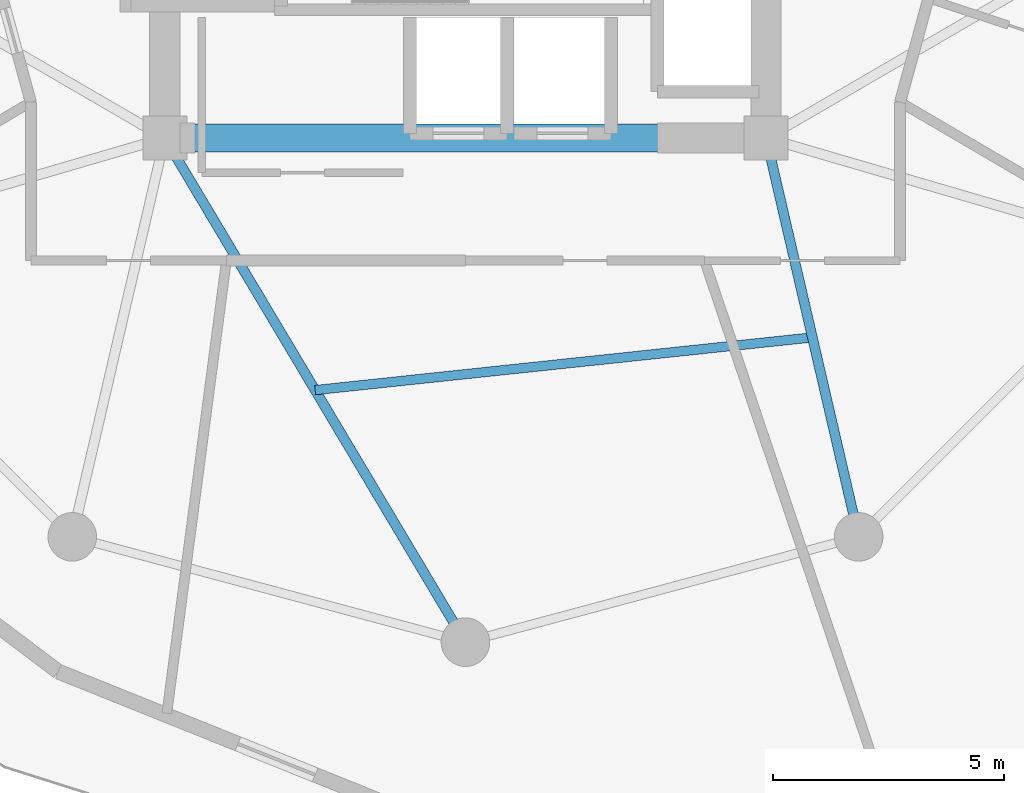
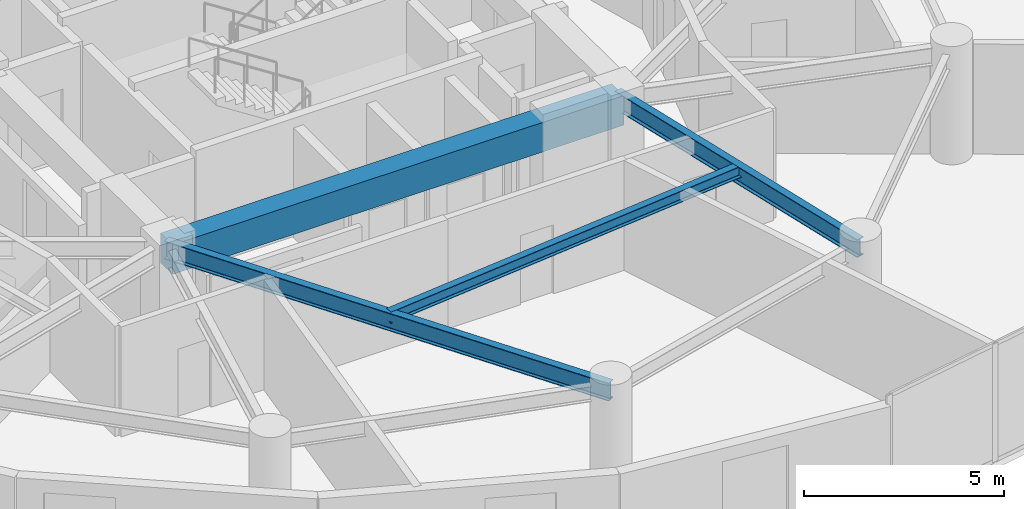
# One storey, part 5 of 25: 4 beams.
"""IFC4 building model written with IfcOpenShell, lengths in metres."""

from ifc_helpers import new_model, si_unit, direction, frame, origin, origin_2d, place, context, subcontext, project, spatial, rectangle, i_section, extrude, material, material_profile, profile_set, type_object, element, save


model = new_model("IFC4")

# Units and contexts
model_context = context("Model", 3, precision=1e-05, world=origin(), true_north=direction((0.0, 1.0)))
body_context = subcontext(model_context, "Body", "Model", "MODEL_VIEW")
ifc_project = project(units=[si_unit("LENGTHUNIT", "METRE"), si_unit("AREAUNIT", "SQUARE_METRE"), si_unit("VOLUMEUNIT", "CUBIC_METRE"), si_unit("PLANEANGLEUNIT", "RADIAN"), si_unit("MASSUNIT", "GRAM", prefix="KILO")], contexts=[model_context])

# Site, building, storey
site_placement = place(None, origin())
site = spatial("IfcSite", under=ifc_project, at=site_placement, CompositionType="ELEMENT")
building_placement = place(site_placement, origin())
building = spatial("IfcBuilding", under=site, at=building_placement, Name="Solvirekh Grand Hotel", CompositionType="ELEMENT")
storey_placement = place(building_placement, frame((0.0, 0.0, 102.60009765625)))
storey = spatial("IfcBuildingStorey", under=building, at=storey_placement, Name="L25", CompositionType="ELEMENT", Elevation=102.60009765625)

# Beams
ifc_material_1 = material(Name="Concrete C50/60", Category="concrete")
ifc_material_profile_1 = material_profile(ifc_material_1, rectangle(XDim=0.60009765625, YDim=0.89990234375, at=origin_2d()), Name="RC BEAM 600X900")
ifc_profile_set_1 = profile_set([ifc_material_profile_1], Name="Concrete C50/60")
beam_type_1 = type_object("IfcBeamType", Name="Beam_Core_RC900", PredefinedType="BEAM", material=ifc_profile_set_1)
beam_1_placement = place(storey_placement, frame((-6.5, -6.10009765625, 2.89990234375), z_axis=(1.0, 0.0, 0.0), x_axis=(0.0, 1.0, 0.0)))
element("IfcBeam", 1, at=beam_1_placement, inside=storey, type_object=beam_type_1, Name="L25 core coupling ring beam 1", PredefinedType="BEAM", context=body_context, shape_type="SweptSolid", body=[
    extrude(rectangle(XDim=0.60009765625, YDim=0.89990234375, at=origin_2d()), origin(), (0.0, 0.0, 1.0), 13.0),
])
ifc_material_2 = material(Name="Steel S355", Category="steel")
ifc_material_profile_2 = material_profile(ifc_material_2, i_section(OverallWidth=0.2119140625, OverallDepth=0.5439453125, WebThickness=0.011962890625, FlangeThickness=0.01904296875, FilletRadius=0.013916015625, at=origin_2d()), Name="W530X123")
ifc_profile_set_2 = profile_set([ifc_material_profile_2], Name="Steel S355")
beam_type_2 = type_object("IfcBeamType", Name="Beam_Radial_W530H", PredefinedType="BEAM", material=ifc_profile_set_2)
beam_2_placement = place(storey_placement, frame((-6.5, -6.10009765625, 3.077880859375), z_axis=(0.512179721377, -0.858878299301, 0.0), x_axis=(0.858878299301, 0.512179721377, 0.0)))
element("IfcBeam", 2, at=beam_2_placement, inside=storey, type_object=beam_type_2, Name="L25 radial floor beam R10", PredefinedType="BEAM", context=body_context, shape_type="SweptSolid", body=[
    extrude(i_section(OverallWidth=0.2119140625, OverallDepth=0.5439453125, WebThickness=0.011962890625, FlangeThickness=0.01904296875, FilletRadius=0.013916015625, at=origin_2d()), origin(), (0.0, 0.0, 1.0), 12.69091796875),
])
beam_3_placement = place(storey_placement, frame((6.5, -6.10009765625, 3.077880859375), z_axis=(0.225969390542, -0.974134402707, 0.0), x_axis=(0.974134402707, 0.225969390542, 0.0)))
element("IfcBeam", 3, at=beam_3_placement, inside=storey, type_object=beam_type_2, Name="L25 radial floor beam R11", PredefinedType="BEAM", context=body_context, shape_type="SweptSolid", body=[
    extrude(i_section(OverallWidth=0.2119140625, OverallDepth=0.5439453125, WebThickness=0.011962890625, FlangeThickness=0.01904296875, FilletRadius=0.013916015625, at=origin_2d()), origin(), (0.0, 0.0, 1.0), 8.850830078125),
])
ifc_material_profile_3 = material_profile(ifc_material_2, i_section(OverallWidth=0.2041015625, OverallDepth=0.35009765625, WebThickness=0.009033203125, FlangeThickness=0.014892578125, FilletRadius=0.010986328125, at=origin_2d()), Name="W360X72")
ifc_profile_set_3 = profile_set([ifc_material_profile_3], Name="Steel S355")
beam_type_3 = type_object("IfcBeamType", Name="Joist_Floor_W360", PredefinedType="JOIST", material=ifc_profile_set_3)
beam_4_placement = place(storey_placement, frame((-3.25, -11.550048828125, 3.1748046875), z_axis=(0.994432198761, 0.105378375714, 0.0), x_axis=(-0.105378375714, 0.994432198761, 0.0)))
element("IfcBeam", 4, at=beam_4_placement, inside=storey, type_object=beam_type_3, Name="L25 secondary composite floor joist 10", PredefinedType="JOIST", context=body_context, shape_type="SweptSolid", body=[
    extrude(i_section(OverallWidth=0.2041015625, OverallDepth=0.35009765625, WebThickness=0.009033203125, FlangeThickness=0.014892578125, FilletRadius=0.010986328125, at=origin_2d()), origin(), (0.0, 0.0, 1.0), 10.810302734375),
])

save(model, "model.ifc")
